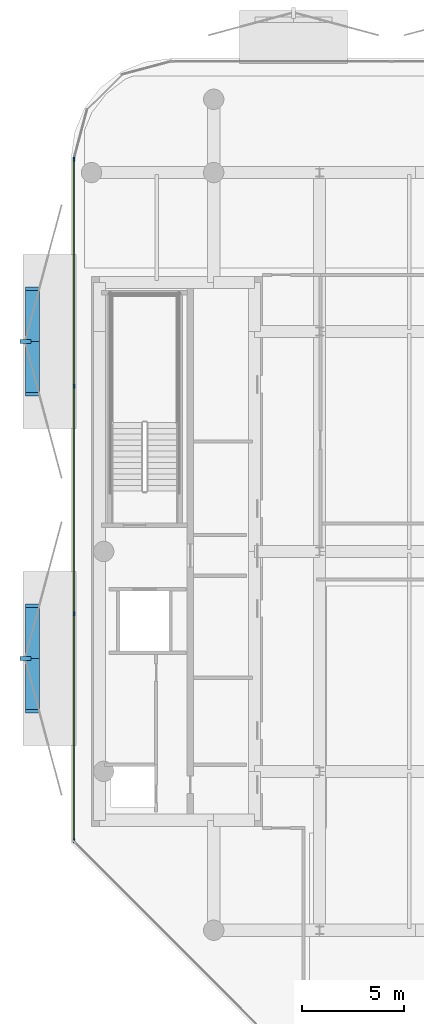
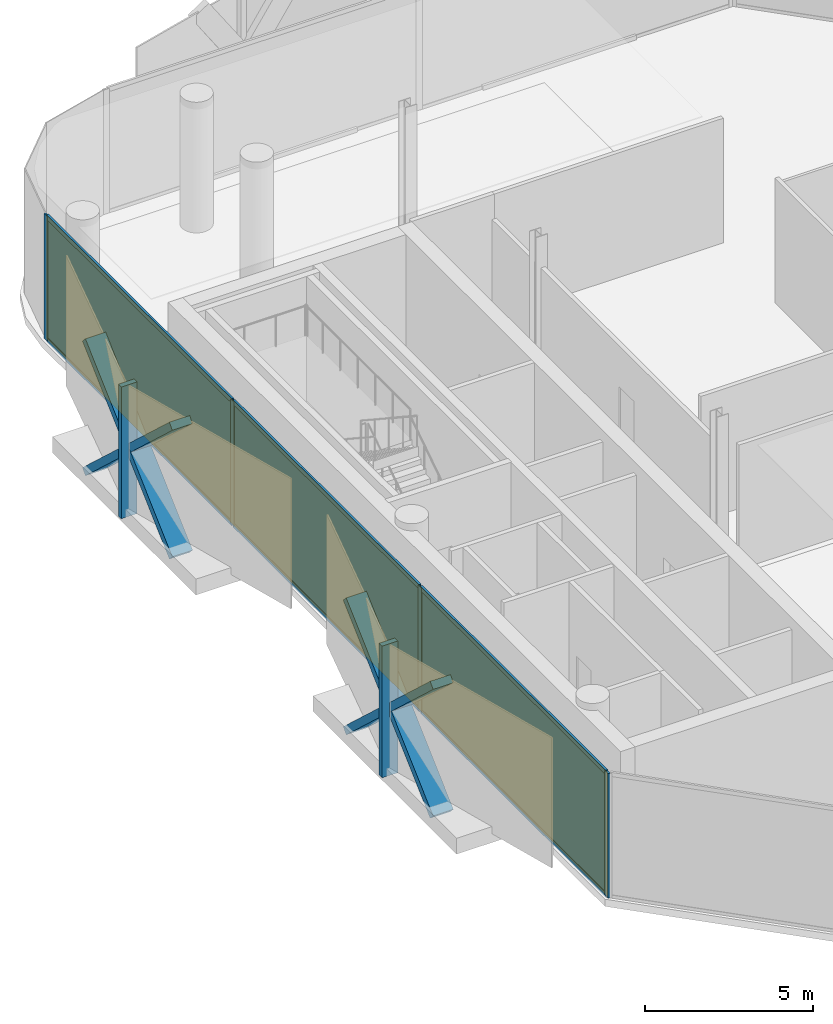
# One storey, part 8 of 15: 16 members, 3 plates, 1 curtain wall.
"""IFC4 building model written with IfcOpenShell, lengths in metres."""

from ifc_helpers import new_model, si_unit, direction, frame, frame_2d, origin, origin_2d, place, context, subcontext, project, spatial, rectangle, extrude, material, layer, layer_set, material_profile, profile_set, type_object, element, aggregate, save


model = new_model("IFC4")

# Units and contexts
model_context = context("Model", 3, precision=1e-05, world=origin(), true_north=direction((0.0, 1.0)))
body_context = subcontext(model_context, "Body", "Model", "MODEL_VIEW")
ifc_project = project(units=[si_unit("LENGTHUNIT", "METRE"), si_unit("AREAUNIT", "SQUARE_METRE"), si_unit("VOLUMEUNIT", "CUBIC_METRE"), si_unit("PLANEANGLEUNIT", "RADIAN"), si_unit("MASSUNIT", "GRAM", prefix="KILO")], contexts=[model_context])

# Member
ifc_material_1 = material(Name="Anodised Bronze Aluminium 6063-T6", Category="aluminium")
ifc_material_profile_1 = material_profile(ifc_material_1, rectangle(XDim=0.260009765625, YDim=0.699951171875, at=origin_2d()))
ifc_profile_set_1 = profile_set([ifc_material_profile_1], Name="Anodised Bronze Aluminium 6063-T6")
member_type_1 = type_object("IfcMemberType", Name="Bronze Diamond Solar-Screen Lattice Rib BDL-700", PredefinedType="MULLION", material=ifc_profile_set_1)
site_placement = place(None, origin())
building_placement = place(site_placement, origin())
storey_placement = place(building_placement, frame((0.0, 0.0, 315.60009765625)))
member_1_placement = place(storey_placement, frame((-23.300048828125, -7.853271484375, -0.130126953125), z_axis=(0.0, 0.734081361578, 0.679061524889), x_axis=(0.0, -0.679061524889, 0.734081361578)))
member_1 = element("IfcMember", 1, at=member_1_placement, type_object=member_type_1, Name="L76 Bronze Diamond Solar Screen Lattice Rib 536A", PredefinedType="MULLION", context=body_context, shape_type="SweptSolid", body=[
    extrude(rectangle(XDim=0.260009765625, YDim=0.699951171875, at=origin_2d()), origin(), (0.0, 0.0, 1.0), 7.068603515625),
])

member_2_placement = place(storey_placement, frame((-23.300048828125, -2.664306640625, -0.130126953125), z_axis=(0.0, -0.734081361578, 0.679061524889), x_axis=(0.0, 0.679061524889, 0.734081361578)))
member_2 = element("IfcMember", 2, at=member_2_placement, type_object=member_type_1, Name="L76 Bronze Diamond Solar Screen Lattice Rib 536B", PredefinedType="MULLION", context=body_context, shape_type="SweptSolid", body=[
    extrude(rectangle(XDim=0.260009765625, YDim=0.699951171875, at=origin_2d()), origin(), (0.0, 0.0, 1.0), 7.068603515625),
])

member_3_placement = place(storey_placement, frame((-23.300048828125, 7.713134765625, -0.130126953125), z_axis=(0.0, 0.734081361578, 0.679061524889), x_axis=(0.0, -0.679061524889, 0.734081361578)))
member_3 = element("IfcMember", 3, at=member_3_placement, type_object=member_type_1, Name="L76 Bronze Diamond Solar Screen Lattice Rib 537A", PredefinedType="MULLION", context=body_context, shape_type="SweptSolid", body=[
    extrude(rectangle(XDim=0.260009765625, YDim=0.699951171875, at=origin_2d()), origin(), (0.0, 0.0, 1.0), 7.068603515625),
])

member_4_placement = place(storey_placement, frame((-23.300048828125, 12.902099609375, -0.130126953125), z_axis=(0.0, -0.734081361578, 0.679061524889), x_axis=(0.0, 0.679061524889, 0.734081361578)))
member_4 = element("IfcMember", 4, at=member_4_placement, type_object=member_type_1, Name="L76 Bronze Diamond Solar Screen Lattice Rib 537B", PredefinedType="MULLION", context=body_context, shape_type="SweptSolid", body=[
    extrude(rectangle(XDim=0.260009765625, YDim=0.699951171875, at=origin_2d()), origin(), (0.0, 0.0, 1.0), 7.068603515625),
])

ifc_material_2 = material(Name="Anodised Bronze Aluminium 6063-T6", Category="aluminium")
ifc_material_profile_2 = material_profile(ifc_material_2, rectangle(XDim=0.179931640625, YDim=0.5400390625, at=origin_2d()))
ifc_profile_set_2 = profile_set([ifc_material_profile_2], Name="Anodised Bronze Aluminium 6063-T6")
member_type_2 = type_object("IfcMemberType", Name="Bronze Solar-Screen Vertical Fold Fin BSF-540", PredefinedType="MULLION", material=ifc_profile_set_2)
member_5_placement = place(storey_placement, frame((-23.639892578125, -5.2587890625, -0.130126953125), z_axis=(0.0, 0.0, 1.0), x_axis=(0.0, 1.0, 0.0)))
member_5 = element("IfcMember", 5, at=member_5_placement, type_object=member_type_2, Name="L76 Bronze Solar Screen Vertical Fin 536", PredefinedType="MULLION", context=body_context, shape_type="SweptSolid", body=[
    extrude(rectangle(XDim=0.179931640625, YDim=0.5400390625, at=origin_2d()), origin(), (0.0, 0.0, 1.0), 4.800048828125),
])

member_6_placement = place(storey_placement, frame((-23.639892578125, 10.3076171875, -0.130126953125), z_axis=(0.0, 0.0, 1.0), x_axis=(0.0, 1.0, 0.0)))
member_6 = element("IfcMember", 6, at=member_6_placement, type_object=member_type_2, Name="L76 Bronze Solar Screen Vertical Fin 537", PredefinedType="MULLION", context=body_context, shape_type="SweptSolid", body=[
    extrude(rectangle(XDim=0.179931640625, YDim=0.5400390625, at=origin_2d()), origin(), (0.0, 0.0, 1.0), 4.800048828125),
])

ifc_material_3 = material(Name="Anodised Bronze Aluminium 6063-T6", Category="aluminium")
ifc_material_profile_3 = material_profile(ifc_material_3, rectangle(XDim=0.074951171875, YDim=0.2099609375, at=origin_2d()))
ifc_profile_set_3 = profile_set([ifc_material_profile_3], Name="Anodised Bronze Aluminium 6063-T6")
member_type_3 = type_object("IfcMemberType", Name="CW-CRN Mullion 75x210", PredefinedType="MULLION", material=ifc_profile_set_3)
member_7_placement = place(storey_placement, frame((-21.260009765625, -14.20458984375, 0.0), z_axis=(0.0, 0.0, 1.0), x_axis=(-1.0, 0.0, 0.0)))
member_7 = element("IfcMember", 7, at=member_7_placement, type_object=member_type_3, Name="CW-CRN mullion 1", PredefinedType="MULLION", context=body_context, shape_type="SweptSolid", body=[
    extrude(rectangle(XDim=0.074951171875, YDim=0.2099609375, at=origin_2d()), origin(), (0.0, 0.0, 1.0), 4.539794921875),
])

member_8_placement = place(storey_placement, frame((-21.260009765625, -3.064453125, 0.0), z_axis=(0.0, 0.0, 1.0), x_axis=(-1.0, 0.0, 0.0)))
member_8 = element("IfcMember", 8, at=member_8_placement, type_object=member_type_3, Name="CW-CRN mullion 2", PredefinedType="MULLION", context=body_context, shape_type="SweptSolid", body=[
    extrude(rectangle(XDim=0.074951171875, YDim=0.2099609375, at=origin_2d()), origin(), (0.0, 0.0, 1.0), 4.539794921875),
])

member_9_placement = place(storey_placement, frame((-21.260009765625, 8.11328125, 0.0), z_axis=(0.0, 0.0, 1.0), x_axis=(-1.0, 0.0, 0.0)))
member_9 = element("IfcMember", 9, at=member_9_placement, type_object=member_type_3, Name="CW-CRN mullion 3", PredefinedType="MULLION", context=body_context, shape_type="SweptSolid", body=[
    extrude(rectangle(XDim=0.074951171875, YDim=0.2099609375, at=origin_2d()), origin(), (0.0, 0.0, 1.0), 4.539794921875),
])

member_10_placement = place(storey_placement, frame((-21.260009765625, 19.25341796875, 0.0), z_axis=(0.0, 0.0, 1.0), x_axis=(-1.0, 0.0, 0.0)))
member_10 = element("IfcMember", 10, at=member_10_placement, type_object=member_type_3, Name="CW-CRN mullion 4", PredefinedType="MULLION", context=body_context, shape_type="SweptSolid", body=[
    extrude(rectangle(XDim=0.074951171875, YDim=0.2099609375, at=origin_2d()), origin(), (0.0, 0.0, 1.0), 4.539794921875),
])

ifc_material_4 = material(Name="Anodised Bronze Aluminium 6063-T6", Category="aluminium")
ifc_material_profile_4 = material_profile(ifc_material_4, rectangle(XDim=0.074951171875, YDim=0.1650390625, at=origin_2d()))
ifc_profile_set_4 = profile_set([ifc_material_profile_4], Name="Anodised Bronze Aluminium 6063-T6")
member_type_4 = type_object("IfcMemberType", Name="CW-CRN Transom 75x165", PredefinedType="USERDEFINED", material=ifc_profile_set_4)
member_11_placement = place(storey_placement, frame((-21.260009765625, -14.1669921875, 0.037353515625), z_axis=(0.0, 1.0, 0.0), x_axis=(-1.0, 0.0, 0.0)))
member_11 = element("IfcMember", 11, at=member_11_placement, type_object=member_type_4, Name="CW-CRN transom 1.1", ObjectType="TRANSOM", PredefinedType="USERDEFINED", context=body_context, shape_type="SweptSolid", body=[
    extrude(rectangle(XDim=0.074951171875, YDim=0.1650390625, at=origin_2d()), origin(), (0.0, 0.0, 1.0), 11.065185546875),
])

member_12_placement = place(storey_placement, frame((-21.260009765625, -14.1669921875, 4.50244140625), z_axis=(0.0, 1.0, 0.0), x_axis=(-1.0, 0.0, 0.0)))
member_12 = element("IfcMember", 12, at=member_12_placement, type_object=member_type_4, Name="CW-CRN transom 1.2", ObjectType="TRANSOM", PredefinedType="USERDEFINED", context=body_context, shape_type="SweptSolid", body=[
    extrude(rectangle(XDim=0.074951171875, YDim=0.1650390625, at=origin_2d()), origin(), (0.0, 0.0, 1.0), 11.065185546875),
])

member_13_placement = place(storey_placement, frame((-21.260009765625, -3.02685546875, 0.037353515625), z_axis=(0.0, 1.0, 0.0), x_axis=(-1.0, 0.0, 0.0)))
member_13 = element("IfcMember", 13, at=member_13_placement, type_object=member_type_4, Name="CW-CRN transom 2.1", ObjectType="TRANSOM", PredefinedType="USERDEFINED", context=body_context, shape_type="SweptSolid", body=[
    extrude(rectangle(XDim=0.074951171875, YDim=0.1650390625, at=origin_2d()), origin(), (0.0, 0.0, 1.0), 11.1025390625),
])

member_14_placement = place(storey_placement, frame((-21.260009765625, -3.02685546875, 4.50244140625), z_axis=(0.0, 1.0, 0.0), x_axis=(-1.0, 0.0, 0.0)))
member_14 = element("IfcMember", 14, at=member_14_placement, type_object=member_type_4, Name="CW-CRN transom 2.2", ObjectType="TRANSOM", PredefinedType="USERDEFINED", context=body_context, shape_type="SweptSolid", body=[
    extrude(rectangle(XDim=0.074951171875, YDim=0.1650390625, at=origin_2d()), origin(), (0.0, 0.0, 1.0), 11.1025390625),
])

member_15_placement = place(storey_placement, frame((-21.260009765625, 8.150634765625, 0.037353515625), z_axis=(0.0, 1.0, 0.0), x_axis=(-1.0, 0.0, 0.0)))
member_15 = element("IfcMember", 15, at=member_15_placement, type_object=member_type_4, Name="CW-CRN transom 3.1", ObjectType="TRANSOM", PredefinedType="USERDEFINED", context=body_context, shape_type="SweptSolid", body=[
    extrude(rectangle(XDim=0.074951171875, YDim=0.1650390625, at=origin_2d()), origin(), (0.0, 0.0, 1.0), 11.065185546875),
])

member_16_placement = place(storey_placement, frame((-21.260009765625, 8.150634765625, 4.50244140625), z_axis=(0.0, 1.0, 0.0), x_axis=(-1.0, 0.0, 0.0)))
member_16 = element("IfcMember", 16, at=member_16_placement, type_object=member_type_4, Name="CW-CRN transom 3.2", ObjectType="TRANSOM", PredefinedType="USERDEFINED", context=body_context, shape_type="SweptSolid", body=[
    extrude(rectangle(XDim=0.074951171875, YDim=0.1650390625, at=origin_2d()), origin(), (0.0, 0.0, 1.0), 11.065185546875),
])

# Plate
ifc_material_5 = material(Name="Low-E Solar Control Laminated Glass", Category="glass")
ifc_layer_1 = layer(ifc_material_5, 0.035888671875, Name="Low-E Solar Control Laminated Glass")
ifc_layer_set_1 = layer_set([ifc_layer_1], Name="Low-E Solar Control Laminated Glass")
plate_type = type_object("IfcPlateType", Name="CW-CRN Low-E Double Glazed Panel 36mm", PredefinedType="CURTAIN_PANEL", material=ifc_layer_set_1)
plate_1_placement = place(storey_placement, frame((-21.260009765625, -8.634521484375, 0.0751953125), z_axis=(0.0, 0.0, 1.0), x_axis=(0.0, 1.0, 0.0)))
plate_1 = element("IfcPlate", 17, at=plate_1_placement, type_object=plate_type, Name="CW-CRN panel 1.1", PredefinedType="CURTAIN_PANEL", context=body_context, shape_type="SweptSolid", body=[
    extrude(rectangle(XDim=11.065185546875, YDim=0.035888671875, at=origin_2d()), origin(), (0.0, 0.0, 1.0), 4.389892578125),
])

plate_2_placement = place(storey_placement, frame((-21.260009765625, 2.5244140625, 0.0751953125), z_axis=(0.0, 0.0, 1.0), x_axis=(0.0, 1.0, 0.0)))
plate_2 = element("IfcPlate", 18, at=plate_2_placement, type_object=plate_type, Name="CW-CRN panel 2.1", PredefinedType="CURTAIN_PANEL", context=body_context, shape_type="SweptSolid", body=[
    extrude(rectangle(XDim=11.1025390625, YDim=0.035888671875, at=origin_2d()), origin(), (0.0, 0.0, 1.0), 4.389892578125),
])

plate_3_placement = place(storey_placement, frame((-21.260009765625, 13.683349609375, 0.0751953125), z_axis=(0.0, 0.0, 1.0), x_axis=(0.0, 1.0, 0.0)))
plate_3 = element("IfcPlate", 19, at=plate_3_placement, type_object=plate_type, Name="CW-CRN panel 3.1", PredefinedType="CURTAIN_PANEL", context=body_context, shape_type="SweptSolid", body=[
    extrude(rectangle(XDim=11.065185546875, YDim=0.035888671875, at=origin_2d()), origin(), (0.0, 0.0, 1.0), 4.389892578125),
])

# Site, building, storey
site = spatial("IfcSite", under=ifc_project, at=site_placement, CompositionType="ELEMENT")
building = spatial("IfcBuilding", under=site, at=building_placement, Name="Khairoan Windgate Tower", CompositionType="ELEMENT")
storey = spatial("IfcBuildingStorey", under=building, at=storey_placement, Name="L76", CompositionType="ELEMENT", Elevation=315.60009765625)

# Curtain wall
ifc_material_6 = material(Name="Anodised Bronze Aluminium 6063-T6", Category="aluminium")
ifc_layer_2 = layer(ifc_material_6, 0.2099609375, Name="Anodised Bronze Aluminium 6063-T6")
ifc_layer_set_2 = layer_set([ifc_layer_2], Name="Anodised Bronze Aluminium 6063-T6")
curtain_wall_type = type_object("IfcCurtainWallType", Name="Crown Observation and Vitrine Curtain Wall CW-CRN", PredefinedType="NOTDEFINED", material=ifc_layer_set_2)
curtain_wall_placement = place(storey_placement, frame((-21.260009765625, -14.241943359375, 0.0), z_axis=(0.0, 0.0, 1.0), x_axis=(0.0, 1.0, 0.0)))
curtain_wall = element("IfcCurtainWall", 20, at=curtain_wall_placement, inside=storey, type_object=curtain_wall_type, Name="L76 Unitised Curtain Wall 3", PredefinedType="NOTDEFINED", context=body_context, shape_type="SweptSolid", body=[
    extrude(rectangle(XDim=33.53271484375, YDim=0.010009765625, at=frame_2d((16.766357421875, 0.0))), origin(), (0.0, 0.0, 1.0), 4.539794921875),
])

aggregate(curtain_wall, [member_7, member_8, member_9, member_10, member_11, member_12, plate_1, member_13, member_14, plate_2, member_15, member_16, plate_3, member_1, member_2, member_5, member_3, member_4, member_6])

save(model, "model.ifc")
